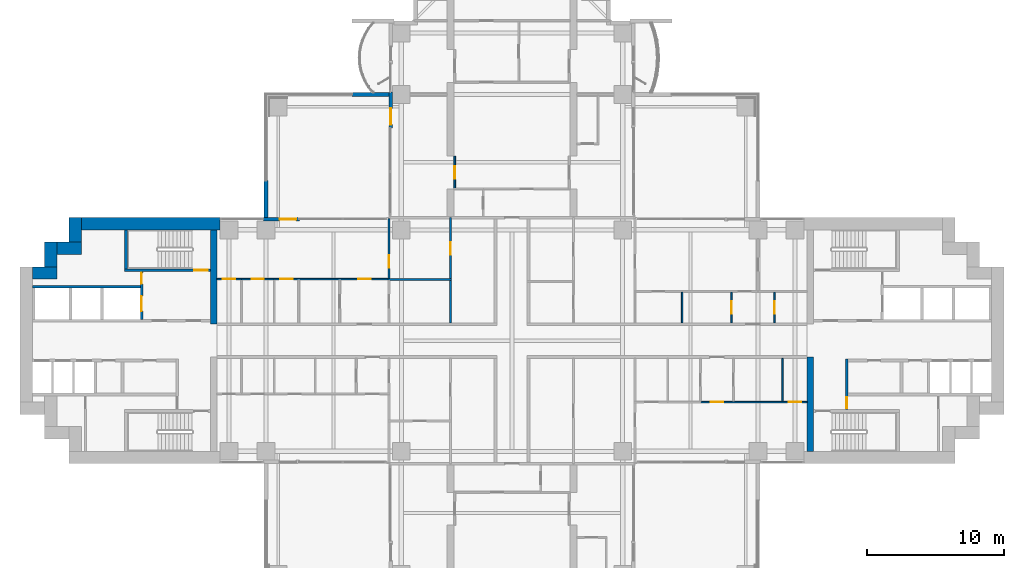
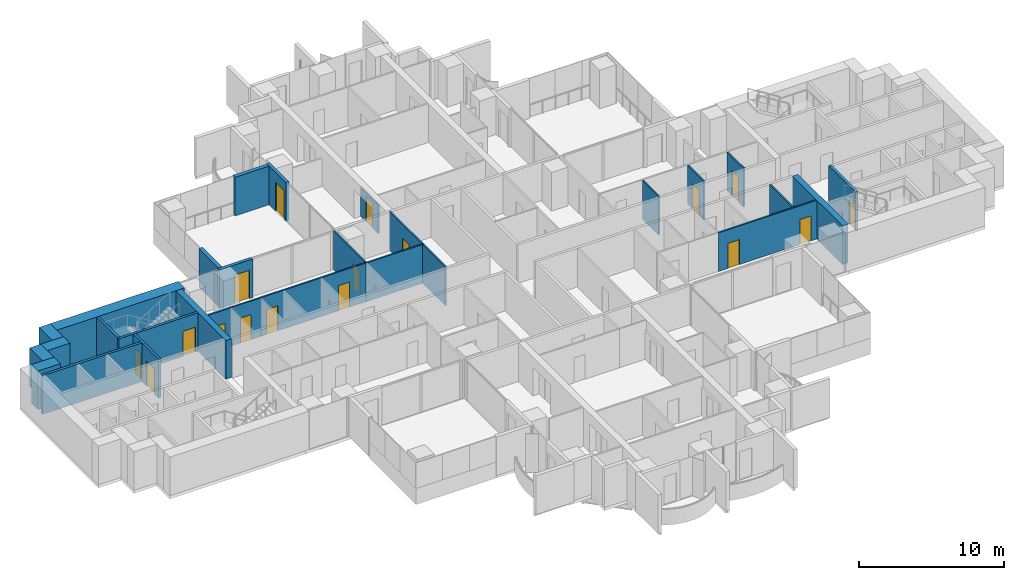
# One storey, part 13 of 20: 28 walls, 17 doors, 17 openings.
"""IFC4 building model written with IfcOpenShell, lengths in metres."""

from ifc_helpers import new_model, si_unit, direction, frame, frame_2d, origin, place, context, subcontext, project, spatial, rectangle, extrude, material, layer, layer_set, type_object, element, fill, save


model = new_model("IFC4")

# Units and contexts
model_context = context("Model", 3, precision=1e-05, world=origin(), true_north=direction((0.0, 1.0)))
body_context = subcontext(model_context, "Body", "Model", "MODEL_VIEW")
ifc_project = project(units=[si_unit("LENGTHUNIT", "METRE"), si_unit("AREAUNIT", "SQUARE_METRE"), si_unit("VOLUMEUNIT", "CUBIC_METRE"), si_unit("PLANEANGLEUNIT", "RADIAN"), si_unit("MASSUNIT", "GRAM", prefix="KILO")], contexts=[model_context])

# Site, building, storey
site_placement = place(None, origin())
site = spatial("IfcSite", under=ifc_project, at=site_placement, CompositionType="ELEMENT")
building_placement = place(site_placement, origin())
building = spatial("IfcBuilding", under=site, at=building_placement, Name="Perihelion Cross Residences", CompositionType="ELEMENT")
storey_placement = place(building_placement, frame((0.0, 0.0, 68.0)))
storey = spatial("IfcBuildingStorey", under=building, at=storey_placement, Name="L14", CompositionType="ELEMENT", Elevation=68.0)

# Wall, opening, door
ifc_material_1 = material(Name="Concrete C30/37, bronze-clad", Category="concrete")
ifc_layer_1 = layer(ifc_material_1, 0.25)
ifc_layer_set_1 = layer_set([ifc_layer_1], Name="Bronze-clad pier wall 250")
wall_type_1 = type_object("IfcWallType", Name="Bronze-clad pier wall 250", PredefinedType="SOLIDWALL", material=ifc_layer_set_1)
wall_1_placement = place(storey_placement, frame((-8.875, 18.199951171875, 0.0), z_axis=(0.0, 0.0, 1.0), x_axis=(0.0, -1.0, 0.0)))
wall_1 = element("IfcWall", 1, at=wall_1_placement, inside=storey, type_object=wall_type_1, Name="Wall FW1 L14 north side west bay 2 pier", PredefinedType="SOLIDWALL", context=body_context, shape_type="SweptSolid", body=[
    extrude(rectangle(XDim=2.64990234375, YDim=0.25, at=frame_2d((1.324951171875, 0.0))), origin(), (0.0, 0.0, 1.0), 3.25),
])
opening_1_placement = place(wall_1_placement, frame((1.199951171875, 0.0, 0.0)))
opening_1 = element("IfcOpeningElement", 2, at=opening_1_placement, cuts=wall_1, Name="Opening L14.E07", PredefinedType="OPENING", context=body_context, shape_type="SweptSolid", body=[
    extrude(rectangle(XDim=1.199951171875, YDim=2.39990234375, at=frame_2d((0.60009765625, 1.199951171875))), frame((0.0, 0.135009765625, 0.0), z_axis=(0.0, -1.0, 0.0), x_axis=(1.0, 0.0, 0.0)), (0.0, 0.0, 1.0), 0.27001953125),
])
ifc_material_2 = material(Name="Bronze anodised aluminium, glazed", Category="aluminium")
door_type_1 = type_object("IfcDoorType", Name="Balcony door 1200 x 2400", OperationType="NOTDEFINED", PredefinedType="DOOR", material=ifc_material_2)
door_1_placement = place(opening_1_placement, origin())
door_1 = element("IfcDoor", 3, at=door_1_placement, inside=storey, type_object=door_type_1, Name="Door L14.E07 north side west bay 2", OperationType="SINGLE_SWING_RIGHT", OverallHeight=2.39990234375, OverallWidth=1.199951171875, PredefinedType="DOOR", context=body_context, shape_type="SweptSolid", body=[
    extrude(rectangle(XDim=1.199951171875, YDim=2.39990234375, at=frame_2d((0.60009765625, 1.199951171875))), frame((0.0, 0.02490234375, 0.0), z_axis=(0.0, -1.0, 0.0), x_axis=(1.0, 0.0, 0.0)), (0.0, 0.0, 1.0), 0.050048828125),
])
fill(opening_1, door_1)

wall_2_placement = place(storey_placement, frame((-15.550048828125, 8.875, 0.0), z_axis=(0.0, 0.0, 1.0), x_axis=(-1.0, 0.0, 0.0)))
wall_2 = element("IfcWall", 4, at=wall_2_placement, inside=storey, type_object=wall_type_1, Name="Wall FW1 L14 west side north bay 1 pier", PredefinedType="SOLIDWALL", context=body_context, shape_type="SweptSolid", body=[
    extrude(rectangle(XDim=2.64990234375, YDim=0.25, at=frame_2d((1.324951171875, 0.0))), origin(), (0.0, 0.0, 1.0), 3.25),
])
opening_2_placement = place(wall_2_placement, frame((0.25, 0.0, 0.0)))
opening_2 = element("IfcOpeningElement", 5, at=opening_2_placement, cuts=wall_2, Name="Opening L14.E08", PredefinedType="OPENING", context=body_context, shape_type="SweptSolid", body=[
    extrude(rectangle(XDim=1.199951171875, YDim=2.39990234375, at=frame_2d((0.60009765625, 1.199951171875))), frame((0.0, 0.135009765625, 0.0), z_axis=(0.0, -1.0, 0.0), x_axis=(1.0, 0.0, 0.0)), (0.0, 0.0, 1.0), 0.27001953125),
])
door_2_placement = place(opening_2_placement, origin())
door_2 = element("IfcDoor", 6, at=door_2_placement, inside=storey, type_object=door_type_1, Name="Door L14.E08 west side north bay 1", OperationType="SINGLE_SWING_LEFT", OverallHeight=2.39990234375, OverallWidth=1.199951171875, PredefinedType="DOOR", context=body_context, shape_type="SweptSolid", body=[
    extrude(rectangle(XDim=1.199951171875, YDim=2.39990234375, at=frame_2d((0.60009765625, 1.199951171875))), frame((0.0, 0.02490234375, 0.0), z_axis=(0.0, -1.0, 0.0), x_axis=(1.0, 0.0, 0.0)), (0.0, 0.0, 1.0), 0.050048828125),
])
fill(opening_2, door_2)

# Walls
ifc_material_3 = material(Name="Concrete C60/75", Category="concrete")
ifc_layer_2 = layer(ifc_material_3, 0.449951171875)
ifc_layer_set_2 = layer_set([ifc_layer_2], Name="Core wall, inner 450")
wall_type_2 = type_object("IfcWallType", Name="Core wall, inner 450", PredefinedType="SHEAR", material=ifc_layer_set_2)
for number, where, z_axis, x_axis, name in (
    (7, (21.824951171875, -8.10009765625, 0.0), (0.0, 0.0, 1.0), (0.0, 1.0, 0.0), "East core core wall, inner"),
    (8, (-21.824951171875, 1.199951171875, 0.0), (0.0, 0.0, 1.0), (0.0, 1.0, 0.0), "West core core wall, inner"),
):
    element("IfcWall", number, at=place(storey_placement, frame(where, z_axis=z_axis, x_axis=x_axis)), inside=storey, type_object=wall_type_2, Name=name, PredefinedType="SHEAR", context=body_context, shape_type="SweptSolid", body=[
        extrude(rectangle(XDim=6.900146484375, YDim=0.449951171875, at=frame_2d((3.4501953125, 0.0))), origin(), (0.0, 0.0, 1.0), 3.25),
    ])
ifc_material_4 = material(Name="Concrete C60/75", Category="concrete")
ifc_layer_3 = layer(ifc_material_4, 0.89990234375)
ifc_layer_set_3 = layer_set([ifc_layer_3], Name="Core wall, outer 900")
wall_type_3 = type_object("IfcWallType", Name="Core wall, outer 900", PredefinedType="SHEAR", material=ifc_layer_set_3)
for number, where, z_axis, x_axis, name in (
    (9, (-35.10009765625, 4.949951171875, 0.0), (0.0, 0.0, 1.0), (1.0, 0.0, 0.0), "West core core wall, outer"),
    (10, (-33.75, 5.39990234375, 0.0), (0.0, 0.0, 1.0), (0.0, 1.0, 0.0), "West core core wall, outer"),
    (11, (-33.300048828125, 6.75, 0.0), (0.0, 0.0, 1.0), (1.0, 0.0, 0.0), "West core core wall, outer"),
    (12, (-31.949951171875, 7.199951171875, 0.0), (0.0, 0.0, 1.0), (0.0, 1.0, 0.0), "West core core wall, outer"),
):
    element("IfcWall", number, at=place(storey_placement, frame(where, z_axis=z_axis, x_axis=x_axis)), inside=storey, type_object=wall_type_3, Name=name, PredefinedType="SHEAR", context=body_context, shape_type="SweptSolid", body=[
        extrude(rectangle(XDim=1.800048828125, YDim=0.89990234375, at=frame_2d((0.89990234375, 0.0))), origin(), (0.0, 0.0, 1.0), 3.25),
    ])
wall_3_placement = place(storey_placement, frame((-31.5, 8.550048828125, 0.0), z_axis=(0.0, 0.0, 1.0), x_axis=(1.0, 0.0, 0.0)))
element("IfcWall", 13, at=wall_3_placement, inside=storey, type_object=wall_type_3, Name="West core core wall, outer", PredefinedType="SHEAR", context=body_context, shape_type="SweptSolid", body=[
    extrude(rectangle(XDim=10.14990234375, YDim=0.89990234375, at=frame_2d((5.074951171875, 0.0))), origin(), (0.0, 0.0, 1.0), 3.25),
])

# Wall, opening, door
ifc_material_5 = material(Name="Plasterboard partition")
ifc_layer_4 = layer(ifc_material_5, 0.1201171875)
ifc_layer_set_4 = layer_set([ifc_layer_4], Name="Infill panel 120")
wall_type_4 = type_object("IfcWallType", Name="Infill panel 120", PredefinedType="PARTITIONING", material=ifc_layer_set_4)
wall_4_placement = place(storey_placement, frame((-4.18994140625, 11.10009765625, 0.0), z_axis=(0.0, 0.0, 1.0), x_axis=(0.0, 1.0, 0.0)))
wall_4 = element("IfcWall", 14, at=wall_4_placement, inside=storey, type_object=wall_type_4, Name="Partition L14 WI03", PredefinedType="PARTITIONING", context=body_context, shape_type="SweptSolid", body=[
    extrude(rectangle(XDim=2.39990234375, YDim=0.1201171875, at=frame_2d((1.199951171875, 0.0))), origin(), (0.0, 0.0, 1.0), 2.39990234375),
])
opening_3_placement = place(wall_4_placement, frame((0.75, 0.0, 0.0)))
opening_3 = element("IfcOpeningElement", 15, at=opening_3_placement, cuts=wall_4, Name="Opening L14.A52", PredefinedType="OPENING", context=body_context, shape_type="SweptSolid", body=[
    extrude(rectangle(XDim=0.89990234375, YDim=2.10009765625, at=frame_2d((0.449951171875, 1.050048828125))), frame((0.0, 0.070068359375, 0.0), z_axis=(0.0, -1.0, 0.0), x_axis=(1.0, 0.0, 0.0)), (0.0, 0.0, 1.0), 0.14013671875),
])
ifc_material_6 = material(Name="Timber door leaf", Category="wood")
door_type_2 = type_object("IfcDoorType", Name="Interior room door 900 x 2100", OperationType="SINGLE_SWING_LEFT", PredefinedType="DOOR", material=ifc_material_6)
door_3_placement = place(opening_3_placement, origin())
door_3 = element("IfcDoor", 16, at=door_3_placement, inside=storey, type_object=door_type_2, Name="Door L14.A52", OperationType="SINGLE_SWING_LEFT", OverallHeight=2.10009765625, OverallWidth=0.89990234375, PredefinedType="DOOR", context=body_context, shape_type="SweptSolid", body=[
    extrude(rectangle(XDim=0.89990234375, YDim=2.10009765625, at=frame_2d((0.449951171875, 1.050048828125))), frame((0.0, 0.02490234375, 0.0), z_axis=(0.0, -1.0, 0.0), x_axis=(1.0, 0.0, 0.0)), (0.0, 0.0, 1.0), 0.050048828125),
])
fill(opening_3, door_3)

ifc_material_7 = material(Name="Concrete C50/60", Category="concrete")
ifc_layer_5 = layer(ifc_material_7, 0.199951171875)
ifc_layer_set_5 = layer_set([ifc_layer_5], Name="Lobby wall 200")
wall_type_5 = type_object("IfcWallType", Name="Lobby wall 200", PredefinedType="SOLIDWALL", material=ifc_layer_set_5)
wall_5_placement = place(storey_placement, frame((24.5, -5.050048828125, 0.0), z_axis=(0.0, 0.0, 1.0), x_axis=(0.0, 1.0, 0.0)))
wall_5 = element("IfcWall", 17, at=wall_5_placement, inside=storey, type_object=wall_type_5, Name="East core lobby wall", PredefinedType="SOLIDWALL", context=body_context, shape_type="SweptSolid", body=[
    extrude(rectangle(XDim=3.699951171875, YDim=0.199951171875, at=frame_2d((1.85009765625, 0.0))), origin(), (0.0, 0.0, 1.0), 3.25),
])
opening_4_placement = place(wall_5_placement, frame((0.10009765625, 0.0, 0.0)))
opening_4 = element("IfcOpeningElement", 18, at=opening_4_placement, cuts=wall_5, Name="Opening L14.C08", PredefinedType="OPENING", context=body_context, shape_type="SweptSolid", body=[
    extrude(rectangle(XDim=0.800048828125, YDim=2.10009765625, at=frame_2d((0.39990234375, 1.050048828125))), frame((0.0, 0.10986328125, 0.0), z_axis=(0.0, -1.0, 0.0), x_axis=(1.0, 0.0, 0.0)), (0.0, 0.0, 1.0), 0.219970703125),
])
ifc_material_8 = material(Name="Steel, powder coated", Category="steel")
door_type_3 = type_object("IfcDoorType", Name="Riser door 800", OperationType="SINGLE_SWING_LEFT", PredefinedType="DOOR", material=ifc_material_8)
door_4_placement = place(opening_4_placement, origin())
door_4 = element("IfcDoor", 19, at=door_4_placement, inside=storey, type_object=door_type_3, Name="East core riser door", OperationType="SINGLE_SWING_LEFT", OverallHeight=2.10009765625, OverallWidth=0.800048828125, PredefinedType="DOOR", context=body_context, shape_type="SweptSolid", body=[
    extrude(rectangle(XDim=0.800048828125, YDim=2.10009765625, at=frame_2d((0.39990234375, 1.050048828125))), frame((0.0, 0.02490234375, 0.0), z_axis=(0.0, -1.0, 0.0), x_axis=(1.0, 0.0, 0.0)), (0.0, 0.0, 1.0), 0.050048828125),
])
fill(opening_4, door_4)

ifc_material_9 = material(Name="Plasterboard partition")
ifc_layer_6 = layer(ifc_material_9, 0.1201171875)
ifc_layer_set_6 = layer_set([ifc_layer_6], Name="Partition wall 120")
wall_type_6 = type_object("IfcWallType", Name="Partition wall 120", PredefinedType="PARTITIONING", material=ifc_layer_set_6)
wall_6_placement = place(storey_placement, frame((16.050048828125, 3.5400390625, 0.0), z_axis=(0.0, 0.0, 1.0), x_axis=(0.0, -1.0, 0.0)))
wall_6 = element("IfcWall", 20, at=wall_6_placement, inside=storey, type_object=wall_type_6, Name="Partition L14 W014", PredefinedType="PARTITIONING", context=body_context, shape_type="SweptSolid", body=[
    extrude(rectangle(XDim=2.239990234375, YDim=0.1201171875, at=frame_2d((1.1201171875, 0.0))), origin(), (0.0, 0.0, 1.0), 3.25),
])
opening_5_placement = place(wall_6_placement, frame((0.669921875, 0.0, 0.0)))
opening_5 = element("IfcOpeningElement", 21, at=opening_5_placement, cuts=wall_6, Name="Opening L14.A02", PredefinedType="OPENING", context=body_context, shape_type="SweptSolid", body=[
    extrude(rectangle(XDim=0.89990234375, YDim=2.10009765625, at=frame_2d((0.449951171875, 1.050048828125))), frame((0.0, 0.070068359375, 0.0), z_axis=(0.0, -1.0, 0.0), x_axis=(1.0, 0.0, 0.0)), (0.0, 0.0, 1.0), 0.14013671875),
])
door_5_placement = place(opening_5_placement, origin())
door_5 = element("IfcDoor", 22, at=door_5_placement, inside=storey, type_object=door_type_2, Name="Door L14.A02", OperationType="SINGLE_SWING_LEFT", OverallHeight=2.10009765625, OverallWidth=0.89990234375, PredefinedType="DOOR", context=body_context, shape_type="SweptSolid", body=[
    extrude(rectangle(XDim=0.89990234375, YDim=2.10009765625, at=frame_2d((0.449951171875, 1.050048828125))), frame((0.0, 0.02490234375, 0.0), z_axis=(0.0, -1.0, 0.0), x_axis=(1.0, 0.0, 0.0)), (0.0, 0.0, 1.0), 0.050048828125),
])
fill(opening_5, door_5)

wall_7_placement = place(storey_placement, frame((19.199951171875, 3.5400390625, 0.0), z_axis=(0.0, 0.0, 1.0), x_axis=(0.0, -1.0, 0.0)))
wall_7 = element("IfcWall", 23, at=wall_7_placement, inside=storey, type_object=wall_type_6, Name="Partition L14 W016", PredefinedType="PARTITIONING", context=body_context, shape_type="SweptSolid", body=[
    extrude(rectangle(XDim=2.239990234375, YDim=0.1201171875, at=frame_2d((1.1201171875, 0.0))), origin(), (0.0, 0.0, 1.0), 3.25),
])
opening_6_placement = place(wall_7_placement, frame((0.669921875, 0.0, 0.0)))
opening_6 = element("IfcOpeningElement", 24, at=opening_6_placement, cuts=wall_7, Name="Opening L14.A04", PredefinedType="OPENING", context=body_context, shape_type="SweptSolid", body=[
    extrude(rectangle(XDim=0.89990234375, YDim=2.10009765625, at=frame_2d((0.449951171875, 1.050048828125))), frame((0.0, 0.070068359375, 0.0), z_axis=(0.0, -1.0, 0.0), x_axis=(1.0, 0.0, 0.0)), (0.0, 0.0, 1.0), 0.14013671875),
])
door_6_placement = place(opening_6_placement, origin())
door_6 = element("IfcDoor", 25, at=door_6_placement, inside=storey, type_object=door_type_2, Name="Door L14.A04", OperationType="SINGLE_SWING_LEFT", OverallHeight=2.10009765625, OverallWidth=0.89990234375, PredefinedType="DOOR", context=body_context, shape_type="SweptSolid", body=[
    extrude(rectangle(XDim=0.89990234375, YDim=2.10009765625, at=frame_2d((0.449951171875, 1.050048828125))), frame((0.0, 0.02490234375, 0.0), z_axis=(0.0, -1.0, 0.0), x_axis=(1.0, 0.0, 0.0)), (0.0, 0.0, 1.0), 0.050048828125),
])
fill(opening_6, door_6)

# Wall, openings, doors
wall_8_placement = place(storey_placement, frame((21.60009765625, -4.5, 0.0), z_axis=(0.0, 0.0, 1.0), x_axis=(-1.0, 0.0, 0.0)))
wall_8 = element("IfcWall", 26, at=wall_8_placement, inside=storey, type_object=wall_type_6, Name="Partition L14 W028", PredefinedType="PARTITIONING", context=body_context, shape_type="SweptSolid", body=[
    extrude(rectangle(XDim=7.800048828125, YDim=0.1201171875, at=frame_2d((3.89990234375, 0.0))), origin(), (0.0, 0.0, 1.0), 3.25),
])
opening_7_placement = place(wall_8_placement, frame((0.449951171875, 0.0, 0.0)))
opening_7 = element("IfcOpeningElement", 27, at=opening_7_placement, cuts=wall_8, Name="Opening L14.A12", PredefinedType="OPENING", context=body_context, shape_type="SweptSolid", body=[
    extrude(rectangle(XDim=0.89990234375, YDim=2.10009765625, at=frame_2d((0.449951171875, 1.050048828125))), frame((0.0, 0.070068359375, 0.0), z_axis=(0.0, -1.0, 0.0), x_axis=(1.0, 0.0, 0.0)), (0.0, 0.0, 1.0), 0.14013671875),
])
opening_8_placement = place(wall_8_placement, frame((6.14990234375, 0.0, 0.0)))
opening_8 = element("IfcOpeningElement", 28, at=opening_8_placement, cuts=wall_8, Name="Opening L14.A13", PredefinedType="OPENING", context=body_context, shape_type="SweptSolid", body=[
    extrude(rectangle(XDim=0.89990234375, YDim=2.10009765625, at=frame_2d((0.449951171875, 1.050048828125))), frame((0.0, 0.070068359375, 0.0), z_axis=(0.0, -1.0, 0.0), x_axis=(1.0, 0.0, 0.0)), (0.0, 0.0, 1.0), 0.14013671875),
])
door_7_placement = place(opening_7_placement, origin())
door_7 = element("IfcDoor", 29, at=door_7_placement, inside=storey, type_object=door_type_2, Name="Door L14.A12", OperationType="SINGLE_SWING_RIGHT", OverallHeight=2.10009765625, OverallWidth=0.89990234375, PredefinedType="DOOR", context=body_context, shape_type="SweptSolid", body=[
    extrude(rectangle(XDim=0.89990234375, YDim=2.10009765625, at=frame_2d((0.449951171875, 1.050048828125))), frame((0.0, 0.02490234375, 0.0), z_axis=(0.0, -1.0, 0.0), x_axis=(1.0, 0.0, 0.0)), (0.0, 0.0, 1.0), 0.050048828125),
])
fill(opening_7, door_7)
door_8_placement = place(opening_8_placement, origin())
door_8 = element("IfcDoor", 30, at=door_8_placement, inside=storey, type_object=door_type_2, Name="Door L14.A13", OperationType="SINGLE_SWING_LEFT", OverallHeight=2.10009765625, OverallWidth=0.89990234375, PredefinedType="DOOR", context=body_context, shape_type="SweptSolid", body=[
    extrude(rectangle(XDim=0.89990234375, YDim=2.10009765625, at=frame_2d((0.449951171875, 1.050048828125))), frame((0.0, 0.02490234375, 0.0), z_axis=(0.0, -1.0, 0.0), x_axis=(1.0, 0.0, 0.0)), (0.0, 0.0, 1.0), 0.050048828125),
])
fill(opening_8, door_8)

# Wall
wall_9_placement = place(storey_placement, frame((19.800048828125, -1.300048828125, 0.0), z_axis=(0.0, 0.0, 1.0), x_axis=(0.0, -1.0, 0.0)))
element("IfcWall", 31, at=wall_9_placement, inside=storey, type_object=wall_type_6, Name="Partition L14 W029", PredefinedType="PARTITIONING", context=body_context, shape_type="SweptSolid", body=[
    extrude(rectangle(XDim=3.139892578125, YDim=0.1201171875, at=frame_2d((1.56982421875, 0.0))), origin(), (0.0, 0.0, 1.0), 3.25),
])

# Wall, openings, doors
wall_10_placement = place(storey_placement, frame((-17.39990234375, 4.5, 0.0), z_axis=(0.0, 0.0, 1.0), x_axis=(1.0, 0.0, 0.0)))
wall_10 = element("IfcWall", 32, at=wall_10_placement, inside=storey, type_object=wall_type_6, Name="Partition L14 W032", PredefinedType="PARTITIONING", context=body_context, shape_type="SweptSolid", body=[
    extrude(rectangle(XDim=8.4599609375, YDim=0.1201171875, at=frame_2d((4.22998046875, 0.0))), origin(), (0.0, 0.0, 1.0), 3.25),
])
opening_9_placement = place(wall_10_placement, frame((0.449951171875, 0.0, 0.0)))
opening_9 = element("IfcOpeningElement", 33, at=opening_9_placement, cuts=wall_10, Name="Opening L14.A20", PredefinedType="OPENING", context=body_context, shape_type="SweptSolid", body=[
    extrude(rectangle(XDim=0.89990234375, YDim=2.10009765625, at=frame_2d((0.449951171875, 1.050048828125))), frame((0.0, 0.070068359375, 0.0), z_axis=(0.0, -1.0, 0.0), x_axis=(1.0, 0.0, 0.0)), (0.0, 0.0, 1.0), 0.14013671875),
])
opening_10_placement = place(wall_10_placement, frame((6.14990234375, 0.0, 0.0)))
opening_10 = element("IfcOpeningElement", 34, at=opening_10_placement, cuts=wall_10, Name="Opening L14.A23", PredefinedType="OPENING", context=body_context, shape_type="SweptSolid", body=[
    extrude(rectangle(XDim=0.89990234375, YDim=2.10009765625, at=frame_2d((0.449951171875, 1.050048828125))), frame((0.0, 0.070068359375, 0.0), z_axis=(0.0, -1.0, 0.0), x_axis=(1.0, 0.0, 0.0)), (0.0, 0.0, 1.0), 0.14013671875),
])
door_9_placement = place(opening_9_placement, origin())
door_9 = element("IfcDoor", 35, at=door_9_placement, inside=storey, type_object=door_type_2, Name="Door L14.A20", OperationType="SINGLE_SWING_LEFT", OverallHeight=2.10009765625, OverallWidth=0.89990234375, PredefinedType="DOOR", context=body_context, shape_type="SweptSolid", body=[
    extrude(rectangle(XDim=0.89990234375, YDim=2.10009765625, at=frame_2d((0.449951171875, 1.050048828125))), frame((0.0, 0.02490234375, 0.0), z_axis=(0.0, -1.0, 0.0), x_axis=(1.0, 0.0, 0.0)), (0.0, 0.0, 1.0), 0.050048828125),
])
fill(opening_9, door_9)
door_10_placement = place(opening_10_placement, origin())
door_10 = element("IfcDoor", 36, at=door_10_placement, inside=storey, type_object=door_type_2, Name="Door L14.A23", OperationType="SINGLE_SWING_RIGHT", OverallHeight=2.10009765625, OverallWidth=0.89990234375, PredefinedType="DOOR", context=body_context, shape_type="SweptSolid", body=[
    extrude(rectangle(XDim=0.89990234375, YDim=2.10009765625, at=frame_2d((0.449951171875, 1.050048828125))), frame((0.0, 0.02490234375, 0.0), z_axis=(0.0, -1.0, 0.0), x_axis=(1.0, 0.0, 0.0)), (0.0, 0.0, 1.0), 0.050048828125),
])
fill(opening_10, door_10)

# Wall, opening, door
wall_11_placement = place(storey_placement, frame((-21.60009765625, 4.5, 0.0), z_axis=(0.0, 0.0, 1.0), x_axis=(1.0, 0.0, 0.0)))
wall_11 = element("IfcWall", 37, at=wall_11_placement, inside=storey, type_object=wall_type_6, Name="Partition L14 W038", PredefinedType="PARTITIONING", context=body_context, shape_type="SweptSolid", body=[
    extrude(rectangle(XDim=1.800048828125, YDim=0.1201171875, at=frame_2d((0.89990234375, 0.0))), origin(), (0.0, 0.0, 1.0), 3.25),
])
opening_11_placement = place(wall_11_placement, frame((0.449951171875, 0.0, 0.0)))
opening_11 = element("IfcOpeningElement", 38, at=opening_11_placement, cuts=wall_11, Name="Opening L14.A17", PredefinedType="OPENING", context=body_context, shape_type="SweptSolid", body=[
    extrude(rectangle(XDim=0.89990234375, YDim=2.10009765625, at=frame_2d((0.449951171875, 1.050048828125))), frame((0.0, 0.070068359375, 0.0), z_axis=(0.0, -1.0, 0.0), x_axis=(1.0, 0.0, 0.0)), (0.0, 0.0, 1.0), 0.14013671875),
])
door_11_placement = place(opening_11_placement, origin())
door_11 = element("IfcDoor", 39, at=door_11_placement, inside=storey, type_object=door_type_2, Name="Door L14.A17", OperationType="SINGLE_SWING_LEFT", OverallHeight=2.10009765625, OverallWidth=0.89990234375, PredefinedType="DOOR", context=body_context, shape_type="SweptSolid", body=[
    extrude(rectangle(XDim=0.89990234375, YDim=2.10009765625, at=frame_2d((0.449951171875, 1.050048828125))), frame((0.0, 0.02490234375, 0.0), z_axis=(0.0, -1.0, 0.0), x_axis=(1.0, 0.0, 0.0)), (0.0, 0.0, 1.0), 0.050048828125),
])
fill(opening_11, door_11)

wall_12_placement = place(storey_placement, frame((-9.0, 8.919921875, 0.0), z_axis=(0.0, 0.0, 1.0), x_axis=(0.0, -1.0, 0.0)))
wall_12 = element("IfcWall", 40, at=wall_12_placement, inside=storey, type_object=wall_type_6, Name="Partition L14 W039", PredefinedType="PARTITIONING", context=body_context, shape_type="SweptSolid", body=[
    extrude(rectangle(XDim=4.35986328125, YDim=0.1201171875, at=frame_2d((2.179931640625, 0.0))), origin(), (0.0, 0.0, 1.0), 3.25),
])
opening_12_placement = place(wall_12_placement, frame((2.68994140625, 0.0, 0.0)))
opening_12 = element("IfcOpeningElement", 41, at=opening_12_placement, cuts=wall_12, Name="Opening L14.A22", PredefinedType="OPENING", context=body_context, shape_type="SweptSolid", body=[
    extrude(rectangle(XDim=0.89990234375, YDim=2.10009765625, at=frame_2d((0.449951171875, 1.050048828125))), frame((0.0, 0.070068359375, 0.0), z_axis=(0.0, -1.0, 0.0), x_axis=(1.0, 0.0, 0.0)), (0.0, 0.0, 1.0), 0.14013671875),
])
door_12_placement = place(opening_12_placement, origin())
door_12 = element("IfcDoor", 42, at=door_12_placement, inside=storey, type_object=door_type_2, Name="Door L14.A22", OperationType="SINGLE_SWING_RIGHT", OverallHeight=2.10009765625, OverallWidth=0.89990234375, PredefinedType="DOOR", context=body_context, shape_type="SweptSolid", body=[
    extrude(rectangle(XDim=0.89990234375, YDim=2.10009765625, at=frame_2d((0.449951171875, 1.050048828125))), frame((0.0, 0.02490234375, 0.0), z_axis=(0.0, -1.0, 0.0), x_axis=(1.0, 0.0, 0.0)), (0.0, 0.0, 1.0), 0.050048828125),
])
fill(opening_12, door_12)

# Wall
wall_13_placement = place(storey_placement, frame((-9.06005859375, 4.47607421875, 0.0), z_axis=(0.0, 0.0, 1.0), x_axis=(1.0, 0.0, 0.0)))
element("IfcWall", 43, at=wall_13_placement, inside=storey, type_object=wall_type_6, Name="Partition L14 W040", PredefinedType="PARTITIONING", context=body_context, shape_type="SweptSolid", body=[
    extrude(rectangle(XDim=4.6201171875, YDim=0.1201171875, at=frame_2d((2.31005859375, 0.0))), origin(), (0.0, 0.0, 1.0), 3.25),
])

# Wall, opening, door
wall_14_placement = place(storey_placement, frame((-4.5, 9.0, 0.0), z_axis=(0.0, 0.0, 1.0), x_axis=(0.0, -1.0, 0.0)))
wall_14 = element("IfcWall", 44, at=wall_14_placement, inside=storey, type_object=wall_type_6, Name="Partition L14 W041", PredefinedType="PARTITIONING", context=body_context, shape_type="SweptSolid", body=[
    extrude(rectangle(XDim=7.699951171875, YDim=0.1201171875, at=frame_2d((3.85009765625, 0.0))), origin(), (0.0, 0.0, 1.0), 3.25),
])
opening_13_placement = place(wall_14_placement, frame((1.81201171875, 0.0, 0.0)))
opening_13 = element("IfcOpeningElement", 45, at=opening_13_placement, cuts=wall_14, Name="Opening L14.A21", PredefinedType="OPENING", context=body_context, shape_type="SweptSolid", body=[
    extrude(rectangle(XDim=0.89990234375, YDim=2.10009765625, at=frame_2d((0.449951171875, 1.050048828125))), frame((0.0, 0.070068359375, 0.0), z_axis=(0.0, -1.0, 0.0), x_axis=(1.0, 0.0, 0.0)), (0.0, 0.0, 1.0), 0.14013671875),
])
door_13_placement = place(opening_13_placement, origin())
door_13 = element("IfcDoor", 46, at=door_13_placement, inside=storey, type_object=door_type_2, Name="Door L14.A21", OperationType="SINGLE_SWING_RIGHT", OverallHeight=2.10009765625, OverallWidth=0.89990234375, PredefinedType="DOOR", context=body_context, shape_type="SweptSolid", body=[
    extrude(rectangle(XDim=0.89990234375, YDim=2.10009765625, at=frame_2d((0.449951171875, 1.050048828125))), frame((0.0, 0.02490234375, 0.0), z_axis=(0.0, -1.0, 0.0), x_axis=(1.0, 0.0, 0.0)), (0.0, 0.0, 1.0), 0.050048828125),
])
fill(opening_13, door_13)

# Walls
ifc_material_10 = material(Name="Precast concrete C50/60", Category="concrete")
ifc_layer_7 = layer(ifc_material_10, 0.300048828125)
ifc_layer_set_7 = layer_set([ifc_layer_7], Name="Precast concrete C50/60 blade wall 300")
wall_type_7 = type_object("IfcWallType", Name="Precast concrete C50/60 blade wall 300", PredefinedType="SOLIDWALL", material=ifc_layer_set_7)
for number, where, z_axis, x_axis, name in (
    (47, (-18.0, 8.75, 0.0), (0.0, 0.0, 1.0), (0.0, 1.0, 0.0), "Wall BL1 L14 no. 2"),
    (48, (-8.75, 18.0, 0.0), (0.0, 0.0, 1.0), (-1.0, 0.0, 0.0), "Wall BL1 L14 no. 7"),
):
    element("IfcWall", number, at=place(storey_placement, frame(where, z_axis=z_axis, x_axis=x_axis)), inside=storey, type_object=wall_type_7, Name=name, PredefinedType="SOLIDWALL", context=body_context, shape_type="SweptSolid", body=[
        extrude(rectangle(XDim=2.949951171875, YDim=0.300048828125, at=frame_2d((1.47509765625, 0.0))), origin(), (0.0, 0.0, 1.0), 3.25),
    ])
ifc_material_11 = material(Name="Concrete C50/60", Category="concrete")
ifc_layer_8 = layer(ifc_material_11, 0.199951171875)
ifc_layer_set_8 = layer_set([ifc_layer_8], Name="Shaft wall 200")
wall_type_8 = type_object("IfcWallType", Name="Shaft wall 200", PredefinedType="SOLIDWALL", material=ifc_layer_set_8)
wall_15_placement = place(storey_placement, frame((-35.10009765625, 3.949951171875, 0.0), z_axis=(0.0, 0.0, 1.0), x_axis=(1.0, 0.0, 0.0)))
element("IfcWall", 49, at=wall_15_placement, inside=storey, type_object=wall_type_8, Name="West core shaft wall", PredefinedType="SOLIDWALL", context=body_context, shape_type="SweptSolid", body=[
    extrude(rectangle(XDim=7.900146484375, YDim=0.199951171875, at=frame_2d((3.9501953125, 0.0))), origin(), (0.0, 0.0, 1.0), 3.25),
])

# Wall, openings, doors
wall_16_placement = place(storey_placement, frame((-27.10009765625, 1.550048828125, 0.0), z_axis=(0.0, 0.0, 1.0), x_axis=(0.0, 1.0, 0.0)))
wall_16 = element("IfcWall", 50, at=wall_16_placement, inside=storey, type_object=wall_type_8, Name="West core shaft wall", PredefinedType="SOLIDWALL", context=body_context, shape_type="SweptSolid", body=[
    extrude(rectangle(XDim=3.5, YDim=0.199951171875, at=frame_2d((1.75, 0.0))), origin(), (0.0, 0.0, 1.0), 3.25),
])
opening_14_placement = place(wall_16_placement, frame((0.60009765625, 0.0, 0.0)))
opening_14 = element("IfcOpeningElement", 51, at=opening_14_placement, cuts=wall_16, Name="Opening L14.C14", PredefinedType="OPENING", context=body_context, shape_type="SweptSolid", body=[
    extrude(rectangle(XDim=1.10009765625, YDim=2.10009765625, at=frame_2d((0.550048828125, 1.050048828125))), frame((0.0, 0.10986328125, 0.0), z_axis=(0.0, -1.0, 0.0), x_axis=(1.0, 0.0, 0.0)), (0.0, 0.0, 1.0), 0.219970703125),
])
opening_15_placement = place(wall_16_placement, frame((2.60009765625, 0.0, 0.0)))
opening_15 = element("IfcOpeningElement", 52, at=opening_15_placement, cuts=wall_16, Name="Opening L14.C24", PredefinedType="OPENING", context=body_context, shape_type="SweptSolid", body=[
    extrude(rectangle(XDim=0.800048828125, YDim=2.10009765625, at=frame_2d((0.39990234375, 1.050048828125))), frame((0.0, 0.10986328125, 0.0), z_axis=(0.0, -1.0, 0.0), x_axis=(1.0, 0.0, 0.0)), (0.0, 0.0, 1.0), 0.219970703125),
])
ifc_material_12 = material(Name="Stainless steel", Category="steel")
door_type_4 = type_object("IfcDoorType", Name="Landing door, firefighting lift 1100", OperationType="DOUBLE_DOOR_SLIDING", PredefinedType="DOOR", material=ifc_material_12)
door_14_placement = place(opening_14_placement, origin())
door_14 = element("IfcDoor", 53, at=door_14_placement, inside=storey, type_object=door_type_4, Name="Landing door, West core firefighting and service lift", OperationType="DOUBLE_DOOR_SLIDING", OverallHeight=2.10009765625, OverallWidth=1.10009765625, PredefinedType="DOOR", context=body_context, shape_type="SweptSolid", body=[
    extrude(rectangle(XDim=1.10009765625, YDim=2.10009765625, at=frame_2d((0.550048828125, 1.050048828125))), frame((0.0, 0.02490234375, 0.0), z_axis=(0.0, -1.0, 0.0), x_axis=(1.0, 0.0, 0.0)), (0.0, 0.0, 1.0), 0.050048828125),
])
fill(opening_14, door_14)
door_15_placement = place(opening_15_placement, origin())
door_15 = element("IfcDoor", 54, at=door_15_placement, inside=storey, type_object=door_type_3, Name="West core riser door", OperationType="SINGLE_SWING_LEFT", OverallHeight=2.10009765625, OverallWidth=0.800048828125, PredefinedType="DOOR", context=body_context, shape_type="SweptSolid", body=[
    extrude(rectangle(XDim=0.800048828125, YDim=2.10009765625, at=frame_2d((0.39990234375, 1.050048828125))), frame((0.0, 0.02490234375, 0.0), z_axis=(0.0, -1.0, 0.0), x_axis=(1.0, 0.0, 0.0)), (0.0, 0.0, 1.0), 0.050048828125),
])
fill(opening_15, door_15)

# Wall, opening, door
ifc_material_13 = material(Name="Concrete C50/60", Category="concrete")
ifc_layer_9 = layer(ifc_material_13, 0.199951171875)
ifc_layer_set_9 = layer_set([ifc_layer_9], Name="Stair wall 200")
wall_type_9 = type_object("IfcWallType", Name="Stair wall 200", PredefinedType="SOLIDWALL", material=ifc_layer_set_9)
wall_17_placement = place(storey_placement, frame((-28.35009765625, 5.14990234375, 0.0), z_axis=(0.0, 0.0, 1.0), x_axis=(1.0, 0.0, 0.0)))
wall_17 = element("IfcWall", 55, at=wall_17_placement, inside=storey, type_object=wall_type_9, Name="West core stair wall", PredefinedType="SOLIDWALL", context=body_context, shape_type="SweptSolid", body=[
    extrude(rectangle(XDim=6.300048828125, YDim=0.199951171875, at=frame_2d((3.14990234375, 0.0))), origin(), (0.0, 0.0, 1.0), 3.25),
])
opening_16_placement = place(wall_17_placement, frame((5.10009765625, 0.0, 0.0)))
opening_16 = element("IfcOpeningElement", 56, at=opening_16_placement, cuts=wall_17, Name="Opening L14.C19", PredefinedType="OPENING", context=body_context, shape_type="SweptSolid", body=[
    extrude(rectangle(XDim=1.0, YDim=2.10009765625, at=frame_2d((0.5, 1.050048828125))), frame((0.0, 0.10986328125, 0.0), z_axis=(0.0, -1.0, 0.0), x_axis=(1.0, 0.0, 0.0)), (0.0, 0.0, 1.0), 0.219970703125),
])
ifc_material_14 = material(Name="Steel, powder coated", Category="steel")
door_type_5 = type_object("IfcDoorType", Name="Stair door 1000", OperationType="SINGLE_SWING_LEFT", PredefinedType="DOOR", material=ifc_material_14)
door_16_placement = place(opening_16_placement, origin())
door_16 = element("IfcDoor", 57, at=door_16_placement, inside=storey, type_object=door_type_5, Name="West core stair door", OperationType="SINGLE_SWING_LEFT", OverallHeight=2.10009765625, OverallWidth=1.0, PredefinedType="DOOR", context=body_context, shape_type="SweptSolid", body=[
    extrude(rectangle(XDim=1.0, YDim=2.10009765625, at=frame_2d((0.5, 1.050048828125))), frame((0.0, 0.02490234375, 0.0), z_axis=(0.0, -1.0, 0.0), x_axis=(1.0, 0.0, 0.0)), (0.0, 0.0, 1.0), 0.050048828125),
])
fill(opening_16, door_16)

# Walls
wall_18_placement = place(storey_placement, frame((-28.25, 5.25, 0.0), z_axis=(0.0, 0.0, 1.0), x_axis=(0.0, 1.0, 0.0)))
element("IfcWall", 58, at=wall_18_placement, inside=storey, type_object=wall_type_9, Name="West core stair wall", PredefinedType="SOLIDWALL", context=body_context, shape_type="SweptSolid", body=[
    extrude(rectangle(XDim=2.85009765625, YDim=0.199951171875, at=frame_2d((1.425048828125, 0.0))), origin(), (0.0, 0.0, 1.0), 3.25),
])
ifc_material_15 = material(Name="Plasterboard partition")
ifc_layer_10 = layer(ifc_material_15, 0.10009765625)
ifc_layer_set_10 = layer_set([ifc_layer_10], Name="Wet room wall 100")
wall_type_10 = type_object("IfcWallType", Name="Wet room wall 100", PredefinedType="PARTITIONING", material=ifc_layer_set_10)
wall_19_placement = place(storey_placement, frame((12.449951171875, 3.5400390625, 0.0), z_axis=(0.0, 0.0, 1.0), x_axis=(0.0, -1.0, 0.0)))
element("IfcWall", 59, at=wall_19_placement, inside=storey, type_object=wall_type_10, Name="Partition L14 W011", PredefinedType="PARTITIONING", context=body_context, shape_type="SweptSolid", body=[
    extrude(rectangle(XDim=2.239990234375, YDim=0.10009765625, at=frame_2d((1.1201171875, 0.0))), origin(), (0.0, 0.0, 1.0), 3.25),
])

# Wall, opening, door
wall_20_placement = place(storey_placement, frame((-19.800048828125, 4.5, 0.0), z_axis=(0.0, 0.0, 1.0), x_axis=(1.0, 0.0, 0.0)))
wall_20 = element("IfcWall", 60, at=wall_20_placement, inside=storey, type_object=wall_type_10, Name="Partition L14 W037", PredefinedType="PARTITIONING", context=body_context, shape_type="SweptSolid", body=[
    extrude(rectangle(XDim=2.400146484375, YDim=0.10009765625, at=frame_2d((1.2001953125, 0.0))), origin(), (0.0, 0.0, 1.0), 3.25),
])
opening_17_placement = place(wall_20_placement, frame((0.77490234375, 0.0, 0.0)))
opening_17 = element("IfcOpeningElement", 61, at=opening_17_placement, cuts=wall_20, Name="Opening L14.A16", PredefinedType="OPENING", context=body_context, shape_type="SweptSolid", body=[
    extrude(rectangle(XDim=0.85009765625, YDim=2.10009765625, at=frame_2d((0.425048828125, 1.050048828125))), frame((0.0, 0.06005859375, 0.0), z_axis=(0.0, -1.0, 0.0), x_axis=(1.0, 0.0, 0.0)), (0.0, 0.0, 1.0), 0.1201171875),
])
ifc_material_16 = material(Name="Timber door leaf", Category="wood")
door_type_6 = type_object("IfcDoorType", Name="Interior bathroom door 850 x 2100", OperationType="SINGLE_SWING_LEFT", PredefinedType="DOOR", material=ifc_material_16)
door_17_placement = place(opening_17_placement, origin())
door_17 = element("IfcDoor", 62, at=door_17_placement, inside=storey, type_object=door_type_6, Name="Door L14.A16", OperationType="SINGLE_SWING_RIGHT", OverallHeight=2.10009765625, OverallWidth=0.85009765625, PredefinedType="DOOR", context=body_context, shape_type="SweptSolid", body=[
    extrude(rectangle(XDim=0.85009765625, YDim=2.10009765625, at=frame_2d((0.425048828125, 1.050048828125))), frame((0.0, 0.02490234375, 0.0), z_axis=(0.0, -1.0, 0.0), x_axis=(1.0, 0.0, 0.0)), (0.0, 0.0, 1.0), 0.050048828125),
])
fill(opening_17, door_17)

save(model, "model.ifc")
